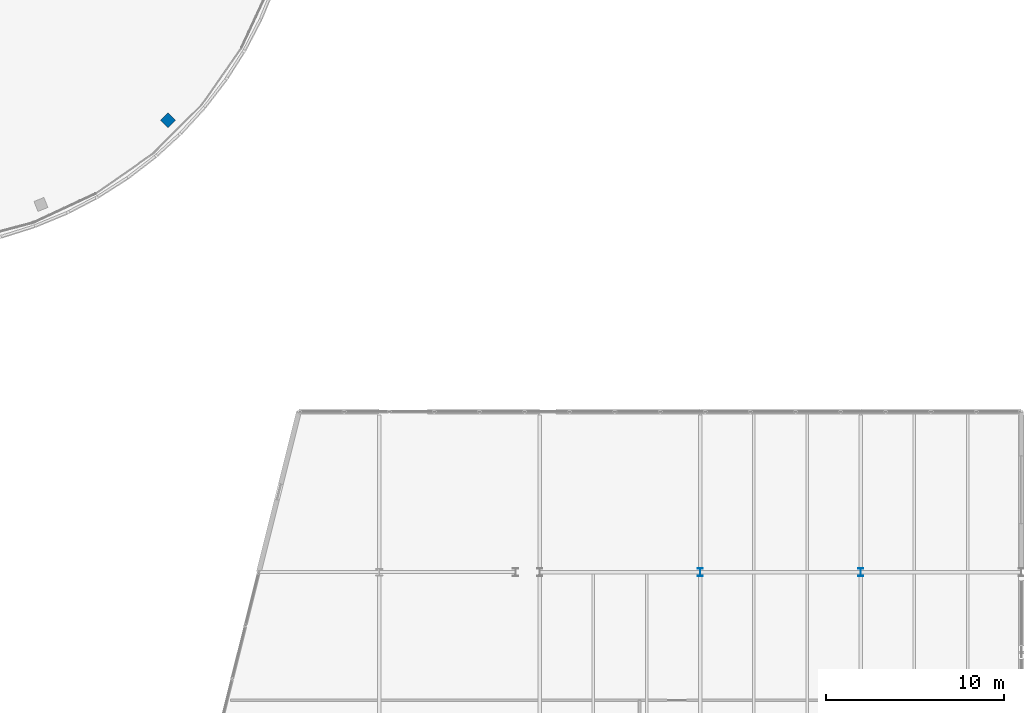
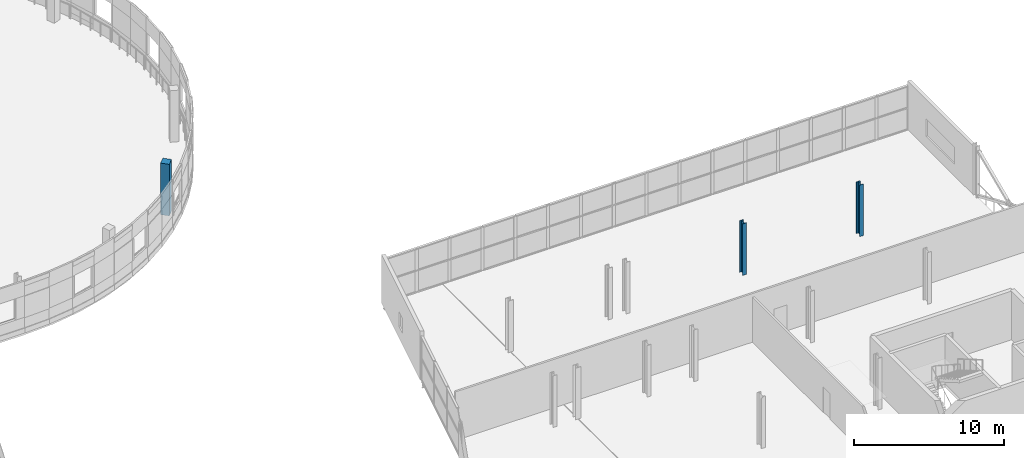
# One storey, part 11 of 88: 3 columns.
"""IFC4 building model written with IfcOpenShell, lengths in metres."""

from ifc_helpers import new_model, si_unit, direction, frame, origin, origin_2d, place, context, subcontext, project, spatial, rectangle, i_section, extrude, material, material_profile, profile_set, type_object, element, save


model = new_model("IFC4")

# Units and contexts
model_context = context("Model", 3, precision=1e-05, world=origin(), true_north=direction((0.0, 1.0)))
body_context = subcontext(model_context, "Body", "Model", "MODEL_VIEW")
ifc_project = project(units=[si_unit("LENGTHUNIT", "METRE"), si_unit("AREAUNIT", "SQUARE_METRE"), si_unit("VOLUMEUNIT", "CUBIC_METRE"), si_unit("PLANEANGLEUNIT", "RADIAN"), si_unit("MASSUNIT", "GRAM", prefix="KILO")], contexts=[model_context])

# Site, building, storey
site_placement = place(None, origin())
site = spatial("IfcSite", under=ifc_project, at=site_placement, CompositionType="ELEMENT")
building_placement = place(site_placement, origin())
building = spatial("IfcBuilding", under=site, at=building_placement, Name="Deido Ridge Mobility Hub", CompositionType="ELEMENT")
storey_placement = place(building_placement, frame((0.0, 0.0, 16.800048828125)))
storey = spatial("IfcBuildingStorey", under=building, at=storey_placement, Name="L04", CompositionType="ELEMENT", Elevation=16.800048828125)

# Columns
ifc_material_1 = material(Name="Steel S355J2 EN 10025-2", Category="steel")
ifc_material_profile_1 = material_profile(ifc_material_1, i_section(OverallWidth=0.300048828125, OverallDepth=0.449951171875, WebThickness=0.013916015625, FlangeThickness=0.02587890625, FilletRadius=0.027099609375, at=origin_2d()), Name="HEB 450")
ifc_profile_set_1 = profile_set([ifc_material_profile_1], Name="Steel S355J2 EN 10025-2")
column_type_1 = type_object("IfcColumnType", Name="COL-HEB450", PredefinedType="COLUMN", material=ifc_profile_set_1)
for number, where, z_axis, x_axis, name in (
    (1, (162.0, 63.0, 0.0), (0.0, 0.0, 1.0), (1.0, 0.0, 0.0), "Structural column C6"),
    (2, (171.0, 63.0, 0.0), (0.0, 0.0, 1.0), (1.0, 0.0, 0.0), "Structural column C6"),
):
    element("IfcColumn", number, at=place(storey_placement, frame(where, z_axis=z_axis, x_axis=x_axis)), inside=storey, type_object=column_type_1, Name=name, PredefinedType="COLUMN", context=body_context, shape_type="SweptSolid", body=[
        extrude(i_section(OverallWidth=0.300048828125, OverallDepth=0.449951171875, WebThickness=0.013916015625, FlangeThickness=0.02587890625, FilletRadius=0.027099609375, at=origin_2d()), origin(), (0.0, 0.0, 1.0), 4.199951171875),
    ])
ifc_material_2 = material(Name="Concrete C40/50", Category="concrete")
ifc_material_profile_2 = material_profile(ifc_material_2, rectangle(XDim=0.60009765625, YDim=0.60009765625, at=origin_2d()), Name="RC COL 600x600")
ifc_profile_set_2 = profile_set([ifc_material_profile_2], Name="Concrete C40/50")
column_type_2 = type_object("IfcColumnType", Name="COL-RC600", PredefinedType="COLUMN", material=ifc_profile_set_2)
column_placement = place(storey_placement, frame((132.16748046875, 88.33251953125, 0.0), z_axis=(0.0, 0.0, 1.0), x_axis=(0.707106781187, -0.707106781187, 0.0)))
element("IfcColumn", 3, at=column_placement, inside=storey, type_object=column_type_2, Name="Structural column RC2", PredefinedType="COLUMN", context=body_context, shape_type="SweptSolid", body=[
    extrude(rectangle(XDim=0.60009765625, YDim=0.60009765625, at=origin_2d()), origin(), (0.0, 0.0, 1.0), 4.199951171875),
])

save(model, "model.ifc")
